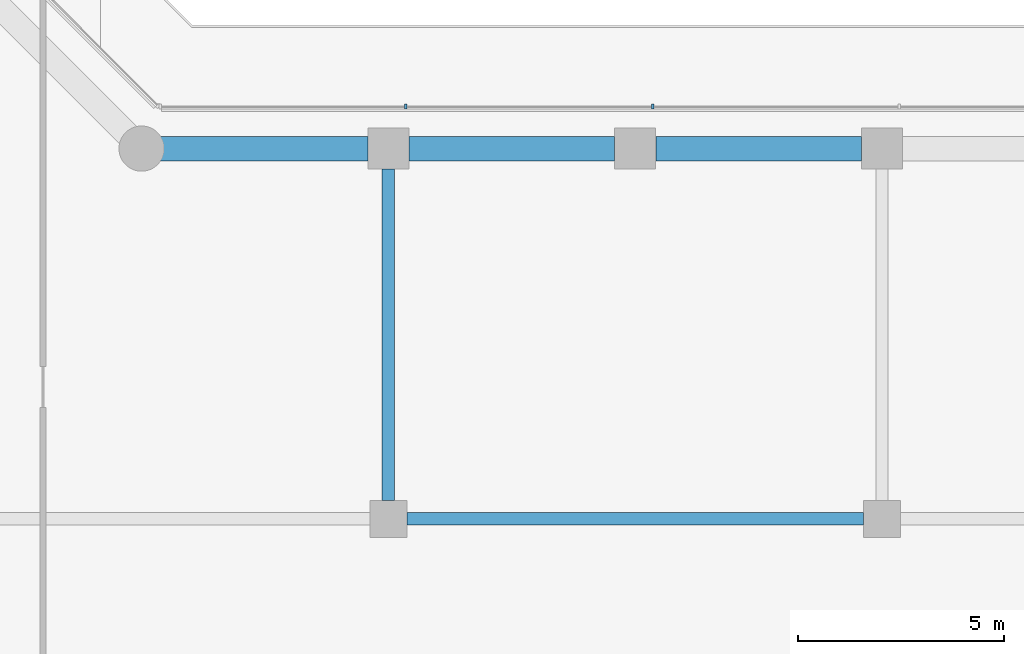
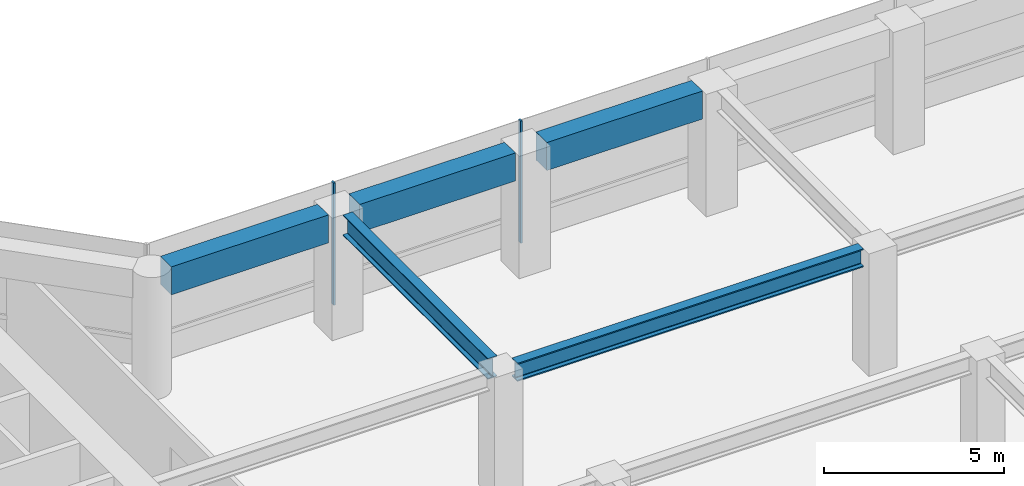
# One storey, part 8 of 24: 5 beams, 2 members, 1 element without a shape of its own.
"""IFC4 building model written with IfcOpenShell, lengths in metres."""

from ifc_helpers import new_model, si_unit, direction, frame, origin, origin_2d, place, context, subcontext, project, spatial, rectangle, i_section, extrude, material, layer, layer_set, material_profile, profile_set, type_object, element, aggregate, save


model = new_model("IFC4")

# Units and contexts
model_context = context("Model", 3, precision=1e-05, world=origin(), true_north=direction((0.0, 1.0)))
body_context = subcontext(model_context, "Body", "Model", "MODEL_VIEW")
ifc_project = project(units=[si_unit("LENGTHUNIT", "METRE"), si_unit("AREAUNIT", "SQUARE_METRE"), si_unit("VOLUMEUNIT", "CUBIC_METRE"), si_unit("PLANEANGLEUNIT", "RADIAN"), si_unit("MASSUNIT", "GRAM", prefix="KILO")], contexts=[model_context])

# Site, building, storey
site_placement = place(None, origin())
site = spatial("IfcSite", under=ifc_project, at=site_placement, CompositionType="ELEMENT")
building_placement = place(site_placement, origin())
building = spatial("IfcBuilding", under=site, at=building_placement, Name="Welwitschia Terrace Campus", CompositionType="ELEMENT")
storey_placement = place(building_placement, frame((0.0, 0.0, 24.5)))
storey = spatial("IfcBuildingStorey", under=building, at=storey_placement, Name="L05", CompositionType="ELEMENT", Elevation=24.5)

# Beam
ifc_material_1 = material(Name="Steel S355", Category="steel")
ifc_material_profile_1 = material_profile(ifc_material_1, i_section(OverallWidth=0.304931640625, OverallDepth=0.6201171875, WebThickness=0.02099609375, FlangeThickness=0.0400390625, FilletRadius=0.027099609375, at=origin_2d()))
ifc_profile_set_1 = profile_set([ifc_material_profile_1], Name="Steel S355")
beam_type_1 = type_object("IfcBeamType", Name="Interior girder HE 600 M", PredefinedType="BEAM", material=ifc_profile_set_1)
beam_1_placement = place(storey_placement, frame((36.450439453125, 11.0, 3.840087890625), z_axis=(1.0, 0.0, 0.0), x_axis=(0.0, 1.0, 0.0)))
element("IfcBeam", 1, at=beam_1_placement, inside=storey, type_object=beam_type_1, Name="Girder GB1", PredefinedType="BEAM", context=body_context, shape_type="SweptSolid", body=[
    extrude(i_section(OverallWidth=0.304931640625, OverallDepth=0.6201171875, WebThickness=0.02099609375, FlangeThickness=0.0400390625, FilletRadius=0.027099609375, at=origin_2d()), origin(), (0.0, 0.0, 1.0), 11.09912109375),
])

# Curtain wall, members
ifc_material_2 = material(Name="Bronze anodised aluminium", Category="aluminium")
ifc_layer = layer(ifc_material_2, 0.1201171875)
ifc_layer_set = layer_set([ifc_layer], Name="Bronze anodised aluminium")
curtain_wall_type = type_object("IfcCurtainWallType", Name="Curtain wall CW2 tower 6000", PredefinedType="NOTDEFINED", material=ifc_layer_set)
curtain_wall_placement = place(storey_placement, origin())
curtain_wall = element("IfcCurtainWall", 2, at=curtain_wall_placement, inside=storey, type_object=curtain_wall_type, Name="CW L05.5.0", PredefinedType="NOTDEFINED")
ifc_material_3 = material(Name="Bronze anodised aluminium", Category="aluminium")
ifc_material_profile_2 = material_profile(ifc_material_3, rectangle(XDim=0.1201171875, YDim=0.06005859375, at=origin_2d()))
ifc_profile_set_2 = profile_set([ifc_material_profile_2], Name="Bronze anodised aluminium")
member_type = type_object("IfcMemberType", Name="Mullion 60x120", PredefinedType="MULLION", material=ifc_profile_set_2)
member_1_placement = place(storey_placement, frame((42.422607421875, 21.02001953125, 0.0), z_axis=(0.0, 0.0, 1.0), x_axis=(0.0, -1.0, 0.0)))
member_1 = element("IfcMember", 3, at=member_1_placement, type_object=member_type, Name="Mullion L05.5.0.3", PredefinedType="MULLION", context=body_context, shape_type="SweptSolid", body=[
    extrude(rectangle(XDim=0.1201171875, YDim=0.06005859375, at=origin_2d()), origin(), (0.0, 0.0, 1.0), 4.14990234375),
])
member_2_placement = place(storey_placement, frame((36.422607421875, 21.02001953125, 0.0), z_axis=(0.0, 0.0, 1.0), x_axis=(0.0, -1.0, 0.0)))
member_2 = element("IfcMember", 4, at=member_2_placement, type_object=member_type, Name="Mullion L05.5.0.4", PredefinedType="MULLION", context=body_context, shape_type="SweptSolid", body=[
    extrude(rectangle(XDim=0.1201171875, YDim=0.06005859375, at=origin_2d()), origin(), (0.0, 0.0, 1.0), 4.14990234375),
])
aggregate(curtain_wall, [member_1, member_2])

# Beams
ifc_material_4 = material(Name="Steel S355", Category="steel")
ifc_material_profile_3 = material_profile(ifc_material_4, i_section(OverallWidth=0.300048828125, OverallDepth=0.699951171875, WebThickness=0.01708984375, FlangeThickness=0.031982421875, FilletRadius=0.027099609375, at=origin_2d()))
ifc_profile_set_3 = profile_set([ifc_material_profile_3], Name="Steel S355")
beam_type_2 = type_object("IfcBeamType", Name="Primary beam HE 700 B", PredefinedType="BEAM", material=ifc_profile_set_3)
beam_2_placement = place(storey_placement, frame((36.0, 19.49951171875, 3.800048828125), z_axis=(0.0, -1.0, 0.0), x_axis=(1.0, 0.0, 0.0)))
element("IfcBeam", 5, at=beam_2_placement, inside=storey, type_object=beam_type_2, Name="Primary beam PB1", PredefinedType="BEAM", context=body_context, shape_type="SweptSolid", body=[
    extrude(i_section(OverallWidth=0.300048828125, OverallDepth=0.699951171875, WebThickness=0.01708984375, FlangeThickness=0.031982421875, FilletRadius=0.027099609375, at=origin_2d()), origin(), (0.0, 0.0, 1.0), 8.049072265625),
])
ifc_material_5 = material(Name="Concrete C60/75", Category="concrete")
ifc_material_profile_4 = material_profile(ifc_material_5, rectangle(XDim=0.60009765625, YDim=0.949951171875, at=origin_2d()))
ifc_profile_set_4 = profile_set([ifc_material_profile_4], Name="Concrete C60/75")
beam_type_3 = type_object("IfcBeamType", Name="Ring spandrel 600x950", PredefinedType="SPANDREL", material=ifc_profile_set_4)
for number, where, z_axis, x_axis, name in (
    (6, (47.49951171875, 20.0, 3.675048828125), (-1.0, 0.0, 0.0), (0.0, -1.0, 0.0), "Spandrel SP1"),
    (7, (41.49951171875, 20.0, 3.675048828125), (-1.0, 0.0, 0.0), (0.0, -1.0, 0.0), "Spandrel SP1"),
):
    element("IfcBeam", number, at=place(storey_placement, frame(where, z_axis=z_axis, x_axis=x_axis)), inside=storey, type_object=beam_type_3, Name=name, PredefinedType="SPANDREL", context=body_context, shape_type="SweptSolid", body=[
        extrude(rectangle(XDim=0.60009765625, YDim=0.949951171875, at=origin_2d()), origin(), (0.0, 0.0, 1.0), 4.9990234375),
    ])
beam_3_placement = place(storey_placement, frame((35.49951171875, 20.0, 3.675048828125), z_axis=(-1.0, 0.0, 0.0), x_axis=(0.0, -1.0, 0.0)))
element("IfcBeam", 8, at=beam_3_placement, inside=storey, type_object=beam_type_3, Name="Spandrel SP1", PredefinedType="SPANDREL", context=body_context, shape_type="SweptSolid", body=[
    extrude(rectangle(XDim=0.60009765625, YDim=0.949951171875, at=origin_2d()), origin(), (0.0, 0.0, 1.0), 5.0380859375),
])

save(model, "model.ifc")
